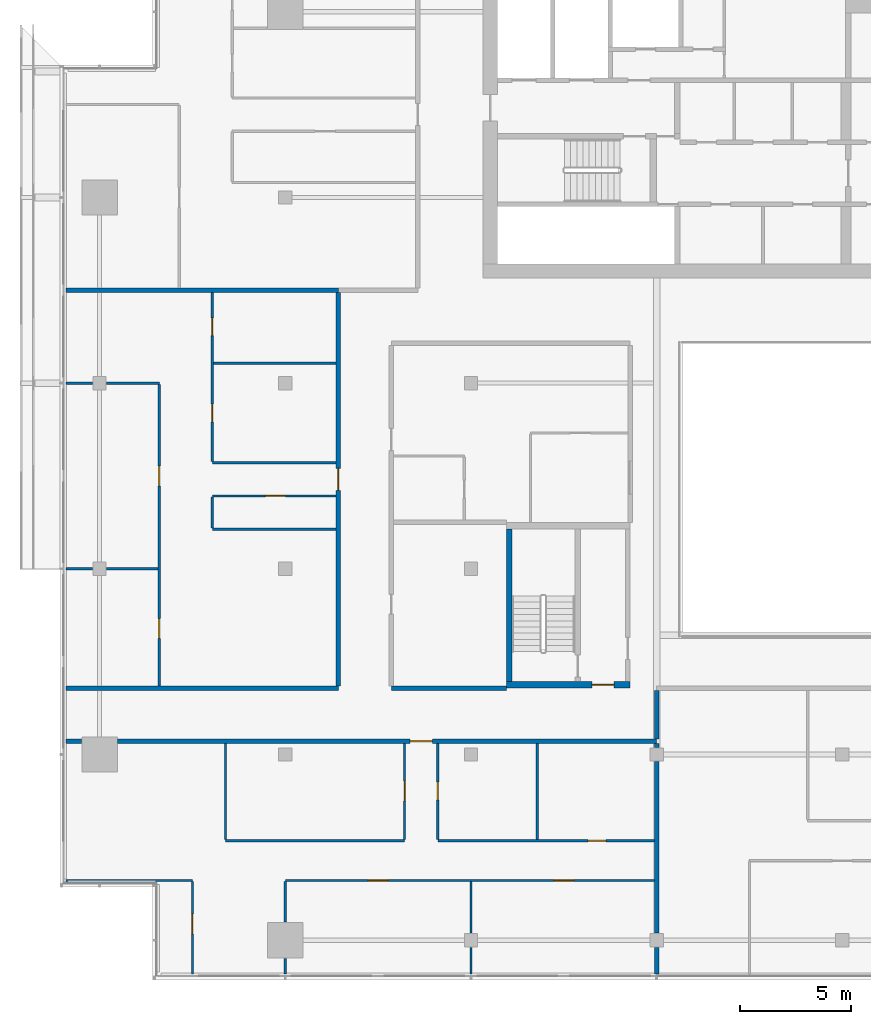
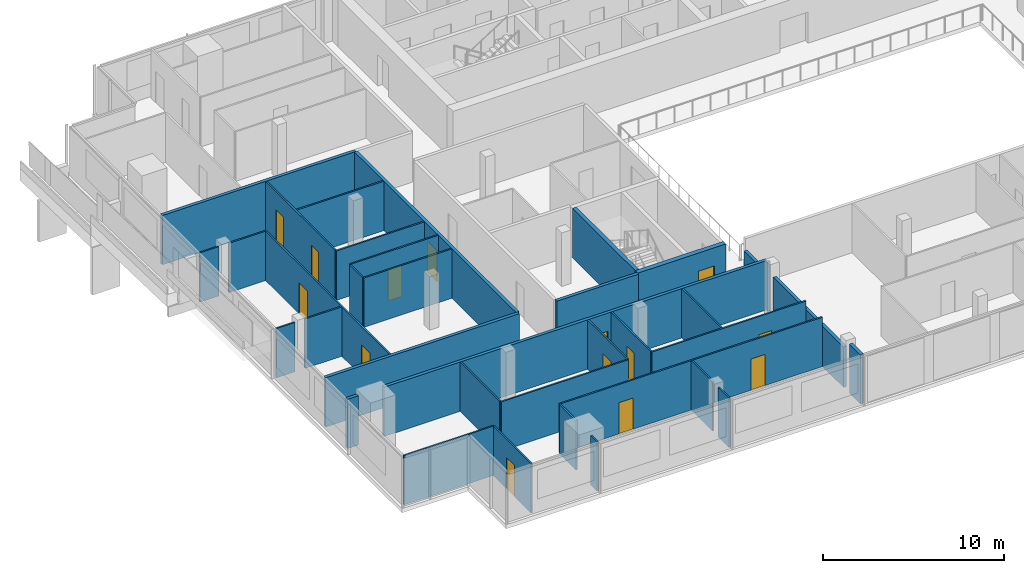
# One storey, part 16 of 28: 36 walls, 14 doors, 14 openings.
"""IFC4 building model written with IfcOpenShell, lengths in metres."""

from ifc_helpers import new_model, si_unit, direction, frame, frame_2d, origin, place, context, subcontext, project, spatial, rectangle, extrude, material, layer, layer_set, type_object, element, fill, save


model = new_model("IFC4")

# Units and contexts
model_context = context("Model", 3, precision=1e-05, world=origin(), true_north=direction((0.0, 1.0)))
body_context = subcontext(model_context, "Body", "Model", "MODEL_VIEW")
ifc_project = project(units=[si_unit("LENGTHUNIT", "METRE"), si_unit("AREAUNIT", "SQUARE_METRE"), si_unit("VOLUMEUNIT", "CUBIC_METRE"), si_unit("PLANEANGLEUNIT", "RADIAN"), si_unit("MASSUNIT", "GRAM", prefix="KILO")], contexts=[model_context])

# Site, building, storey
site_placement = place(None, origin())
site = spatial("IfcSite", under=ifc_project, at=site_placement, CompositionType="ELEMENT")
building_placement = place(site_placement, origin())
building = spatial("IfcBuilding", under=site, at=building_placement, Name="Saffron Gate Tower", CompositionType="ELEMENT")
storey_placement = place(building_placement, frame((0.0, 0.0, 241.5)))
storey = spatial("IfcBuildingStorey", under=building, at=storey_placement, Name="L59", CompositionType="ELEMENT", Elevation=241.5)

# Wall
ifc_material_1 = material(Name="Concrete C60", Category="concrete")
ifc_layer_1 = layer(ifc_material_1, 0.25)
ifc_layer_set_1 = layer_set([ifc_layer_1], Name="CW14 RC core wall 250 C60")
wall_type_1 = type_object("IfcWallType", Name="CW14 RC core wall 250 C60", PredefinedType="SOLIDWALL", material=ifc_layer_set_1)
wall_1_placement = place(storey_placement, frame((68.324951171875, 43.5, 0.0), z_axis=(0.0, 0.0, 1.0), x_axis=(0.0, 1.0, 0.0)))
element("IfcWall", 1, at=wall_1_placement, inside=storey, type_object=wall_type_1, Name="Wall CW14-L59-D-2", PredefinedType="SOLIDWALL", context=body_context, shape_type="SweptSolid", body=[
    extrude(rectangle(XDim=6.89990234375, YDim=0.25, at=frame_2d((3.449951171875, 0.0))), origin(), (0.0, 0.0, 1.0), 3.320068359375),
])

# Wall, opening, door
ifc_layer_2 = layer(ifc_material_1, 0.300048828125)
ifc_layer_set_2 = layer_set([ifc_layer_2], Name="CW17 RC core wall 300 C60")
wall_type_2 = type_object("IfcWallType", Name="CW17 RC core wall 300 C60", PredefinedType="SOLIDWALL", material=ifc_layer_set_2)
wall_2_placement = place(storey_placement, frame((68.199951171875, 43.35009765625, 0.0), z_axis=(0.0, 0.0, 1.0), x_axis=(1.0, 0.0, 0.0)))
wall_2 = element("IfcWall", 2, at=wall_2_placement, inside=storey, type_object=wall_type_2, Name="Wall CW17-L59-D-1", PredefinedType="SOLIDWALL", context=body_context, shape_type="SweptSolid", body=[
    extrude(rectangle(XDim=5.60009765625, YDim=0.300048828125, at=frame_2d((2.800048828125, 0.0))), origin(), (0.0, 0.0, 1.0), 3.320068359375),
])
opening_1_placement = place(wall_2_placement, frame((3.875, 0.0, 0.0)))
opening_1 = element("IfcOpeningElement", 3, at=opening_1_placement, cuts=wall_2, Name="Opening CR-18", PredefinedType="OPENING", context=body_context, shape_type="SweptSolid", body=[
    extrude(rectangle(XDim=1.0, YDim=2.10009765625, at=frame_2d((0.5, 1.050048828125))), frame((0.0, 0.16015625, 0.0), z_axis=(0.0, -1.0, 0.0), x_axis=(1.0, 0.0, 0.0)), (0.0, 0.0, 1.0), 0.320068359375),
])
ifc_material_2 = material(Name="Steel fire door set", Category="steel")
door_type_1 = type_object("IfcDoorType", Name="CD4 Lobby door 1000x2100 EI 120", OperationType="NOTDEFINED", PredefinedType="DOOR", material=ifc_material_2)
door_1_placement = place(opening_1_placement, origin())
door_1 = element("IfcDoor", 4, at=door_1_placement, inside=storey, type_object=door_type_1, Name="DOOR CR-18", OperationType="SINGLE_SWING_RIGHT", OverallHeight=2.10009765625, OverallWidth=1.0, PredefinedType="DOOR", context=body_context, shape_type="SweptSolid", body=[
    extrude(rectangle(XDim=1.0, YDim=2.10009765625, at=frame_2d((0.5, 1.050048828125))), frame((0.0, 0.02490234375, 0.0), z_axis=(0.0, -1.0, 0.0), x_axis=(1.0, 0.0, 0.0)), (0.0, 0.0, 1.0), 0.050048828125),
])
fill(opening_1, door_1)

# Wall
ifc_material_3 = material(Name="Plasterboard on steel studs", Category="steel")
ifc_layer_3 = layer(ifc_material_3, 0.10009765625)
ifc_layer_set_3 = layer_set([ifc_layer_3], Name="PW1 Partition 100")
wall_type_3 = type_object("IfcWallType", Name="PW1 Partition 100", PredefinedType="PARTITIONING", material=ifc_layer_set_3)
wall_3_placement = place(storey_placement, frame((48.280029296875, 34.5, 0.0), z_axis=(0.0, 0.0, 1.0), x_axis=(1.0, 0.0, 0.0)))
element("IfcWall", 5, at=wall_3_placement, inside=storey, type_object=wall_type_3, Name="Partition D4-1", PredefinedType="PARTITIONING", context=body_context, shape_type="SweptSolid", body=[
    extrude(rectangle(XDim=5.719970703125, YDim=0.10009765625, at=frame_2d((2.85986328125, 0.0))), origin(), (0.0, 0.0, 1.0), 3.320068359375),
])

# Wall, openings, doors
wall_4_placement = place(storey_placement, frame((74.89990234375, 34.5, 0.0), z_axis=(0.0, 0.0, 1.0), x_axis=(-1.0, 0.0, 0.0)))
wall_4 = element("IfcWall", 6, at=wall_4_placement, inside=storey, type_object=wall_type_3, Name="Partition D4-2", PredefinedType="PARTITIONING", context=body_context, shape_type="SweptSolid", body=[
    extrude(rectangle(XDim=16.699951171875, YDim=0.10009765625, at=frame_2d((8.35009765625, 0.0))), origin(), (0.0, 0.0, 1.0), 3.320068359375),
])
opening_2_placement = place(wall_4_placement, frame((3.64990234375, 0.0, 0.0)))
opening_2 = element("IfcOpeningElement", 7, at=opening_2_placement, cuts=wall_4, Name="Opening D4-12", PredefinedType="OPENING", context=body_context, shape_type="SweptSolid", body=[
    extrude(rectangle(XDim=0.89990234375, YDim=2.10009765625, at=frame_2d((0.449951171875, 1.050048828125))), frame((0.0, 0.06005859375, 0.0), z_axis=(0.0, -1.0, 0.0), x_axis=(1.0, 0.0, 0.0)), (0.0, 0.0, 1.0), 0.1201171875),
])
opening_3_placement = place(wall_4_placement, frame((12.050048828125, 0.0, 0.0)))
opening_3 = element("IfcOpeningElement", 8, at=opening_3_placement, cuts=wall_4, Name="Opening D4-11", PredefinedType="OPENING", context=body_context, shape_type="SweptSolid", body=[
    extrude(rectangle(XDim=0.89990234375, YDim=2.10009765625, at=frame_2d((0.449951171875, 1.050048828125))), frame((0.0, 0.06005859375, 0.0), z_axis=(0.0, -1.0, 0.0), x_axis=(1.0, 0.0, 0.0)), (0.0, 0.0, 1.0), 0.1201171875),
])
ifc_material_4 = material(Name="Timber door set", Category="wood")
door_type_2 = type_object("IfcDoorType", Name="RD1 Room door 900x2100", OperationType="NOTDEFINED", PredefinedType="DOOR", material=ifc_material_4)
door_2_placement = place(opening_2_placement, origin())
door_2 = element("IfcDoor", 9, at=door_2_placement, inside=storey, type_object=door_type_2, Name="Door D4-12", OperationType="SINGLE_SWING_LEFT", OverallHeight=2.10009765625, OverallWidth=0.89990234375, PredefinedType="DOOR", context=body_context, shape_type="SweptSolid", body=[
    extrude(rectangle(XDim=0.89990234375, YDim=2.10009765625, at=frame_2d((0.449951171875, 1.050048828125))), frame((0.0, 0.02490234375, 0.0), z_axis=(0.0, -1.0, 0.0), x_axis=(1.0, 0.0, 0.0)), (0.0, 0.0, 1.0), 0.050048828125),
])
fill(opening_2, door_2)
door_3_placement = place(opening_3_placement, origin())
door_3 = element("IfcDoor", 10, at=door_3_placement, inside=storey, type_object=door_type_2, Name="Door D4-11", OperationType="SINGLE_SWING_RIGHT", OverallHeight=2.10009765625, OverallWidth=0.89990234375, PredefinedType="DOOR", context=body_context, shape_type="SweptSolid", body=[
    extrude(rectangle(XDim=0.89990234375, YDim=2.10009765625, at=frame_2d((0.449951171875, 1.050048828125))), frame((0.0, 0.02490234375, 0.0), z_axis=(0.0, -1.0, 0.0), x_axis=(1.0, 0.0, 0.0)), (0.0, 0.0, 1.0), 0.050048828125),
])
fill(opening_3, door_3)

# Wall
wall_5_placement = place(storey_placement, frame((55.5, 36.300048828125, 0.0), z_axis=(0.0, 0.0, 1.0), x_axis=(1.0, 0.0, 0.0)))
element("IfcWall", 11, at=wall_5_placement, inside=storey, type_object=wall_type_3, Name="Partition D4-4", PredefinedType="PARTITIONING", context=body_context, shape_type="SweptSolid", body=[
    extrude(rectangle(XDim=8.10009765625, YDim=0.10009765625, at=frame_2d((4.050048828125, 0.0))), origin(), (0.0, 0.0, 1.0), 3.320068359375),
])

# Wall, opening, door
wall_6_placement = place(storey_placement, frame((65.10009765625, 36.300048828125, 0.0), z_axis=(0.0, 0.0, 1.0), x_axis=(1.0, 0.0, 0.0)))
wall_6 = element("IfcWall", 12, at=wall_6_placement, inside=storey, type_object=wall_type_3, Name="Partition D4-5", PredefinedType="PARTITIONING", context=body_context, shape_type="SweptSolid", body=[
    extrude(rectangle(XDim=9.7998046875, YDim=0.10009765625, at=frame_2d((4.89990234375, 0.0))), origin(), (0.0, 0.0, 1.0), 3.320068359375),
])
opening_4_placement = place(wall_6_placement, frame((6.800048828125, 0.0, 0.0)))
opening_4 = element("IfcOpeningElement", 13, at=opening_4_placement, cuts=wall_6, Name="Opening D4-38", PredefinedType="OPENING", context=body_context, shape_type="SweptSolid", body=[
    extrude(rectangle(XDim=0.800048828125, YDim=2.10009765625, at=frame_2d((0.39990234375, 1.050048828125))), frame((0.0, 0.06005859375, 0.0), z_axis=(0.0, -1.0, 0.0), x_axis=(1.0, 0.0, 0.0)), (0.0, 0.0, 1.0), 0.1201171875),
])
door_type_3 = type_object("IfcDoorType", Name="RD2 Bathroom door 800x2100", OperationType="NOTDEFINED", PredefinedType="DOOR", material=ifc_material_4)
door_4_placement = place(opening_4_placement, origin())
door_4 = element("IfcDoor", 14, at=door_4_placement, inside=storey, type_object=door_type_3, Name="Door D4-38", OperationType="SINGLE_SWING_RIGHT", OverallHeight=2.10009765625, OverallWidth=0.800048828125, PredefinedType="DOOR", context=body_context, shape_type="SweptSolid", body=[
    extrude(rectangle(XDim=0.800048828125, YDim=2.10009765625, at=frame_2d((0.39990234375, 1.050048828125))), frame((0.0, 0.02490234375, 0.0), z_axis=(0.0, -1.0, 0.0), x_axis=(1.0, 0.0, 0.0)), (0.0, 0.0, 1.0), 0.050048828125),
])
fill(opening_4, door_4)

# Walls
wall_7_placement = place(storey_placement, frame((48.280029296875, 48.60009765625, 0.0), z_axis=(0.0, 0.0, 1.0), x_axis=(1.0, 0.0, 0.0)))
element("IfcWall", 15, at=wall_7_placement, inside=storey, type_object=wall_type_3, Name="Partition D4-24", PredefinedType="PARTITIONING", context=body_context, shape_type="SweptSolid", body=[
    extrude(rectangle(XDim=1.199951171875, YDim=0.10009765625, at=frame_2d((0.60009765625, 0.0))), origin(), (0.0, 0.0, 1.0), 3.320068359375),
])
wall_8_placement = place(storey_placement, frame((50.1201171875, 48.60009765625, 0.0), z_axis=(0.0, 0.0, 1.0), x_axis=(1.0, 0.0, 0.0)))
element("IfcWall", 16, at=wall_8_placement, inside=storey, type_object=wall_type_3, Name="Partition D4-25", PredefinedType="PARTITIONING", context=body_context, shape_type="SweptSolid", body=[
    extrude(rectangle(XDim=2.329833984375, YDim=0.10009765625, at=frame_2d((1.1650390625, 0.0))), origin(), (0.0, 0.0, 1.0), 3.320068359375),
])
wall_9_placement = place(storey_placement, frame((54.89990234375, 50.39306640625, 0.0), z_axis=(0.0, 0.0, 1.0), x_axis=(1.0, 0.0, 0.0)))
element("IfcWall", 17, at=wall_9_placement, inside=storey, type_object=wall_type_3, Name="Partition D4-28", PredefinedType="PARTITIONING", context=body_context, shape_type="SweptSolid", body=[
    extrude(rectangle(XDim=5.60009765625, YDim=0.10009765625, at=frame_2d((2.800048828125, 0.0))), origin(), (0.0, 0.0, 1.0), 3.320068359375),
])

# Wall, opening, door
wall_10_placement = place(storey_placement, frame((60.5, 51.89990234375, 0.0), z_axis=(0.0, 0.0, 1.0), x_axis=(-1.0, 0.0, 0.0)))
wall_10 = element("IfcWall", 18, at=wall_10_placement, inside=storey, type_object=wall_type_3, Name="Partition D4-31", PredefinedType="PARTITIONING", context=body_context, shape_type="SweptSolid", body=[
    extrude(rectangle(XDim=5.60009765625, YDim=0.10009765625, at=frame_2d((2.800048828125, 0.0))), origin(), (0.0, 0.0, 1.0), 3.320068359375),
])
opening_5_placement = place(wall_10_placement, frame((2.300048828125, 0.0, 0.0)))
opening_5 = element("IfcOpeningElement", 19, at=opening_5_placement, cuts=wall_10, Name="Opening D4-25", PredefinedType="OPENING", context=body_context, shape_type="SweptSolid", body=[
    extrude(rectangle(XDim=0.89990234375, YDim=2.10009765625, at=frame_2d((0.449951171875, 1.050048828125))), frame((0.0, 0.06005859375, 0.0), z_axis=(0.0, -1.0, 0.0), x_axis=(1.0, 0.0, 0.0)), (0.0, 0.0, 1.0), 0.1201171875),
])
door_5_placement = place(opening_5_placement, origin())
door_5 = element("IfcDoor", 20, at=door_5_placement, inside=storey, type_object=door_type_2, Name="Door D4-25", OperationType="SINGLE_SWING_LEFT", OverallHeight=2.10009765625, OverallWidth=0.89990234375, PredefinedType="DOOR", context=body_context, shape_type="SweptSolid", body=[
    extrude(rectangle(XDim=0.89990234375, YDim=2.10009765625, at=frame_2d((0.449951171875, 1.050048828125))), frame((0.0, 0.02490234375, 0.0), z_axis=(0.0, -1.0, 0.0), x_axis=(1.0, 0.0, 0.0)), (0.0, 0.0, 1.0), 0.050048828125),
])
fill(opening_5, door_5)

# Walls
wall_11_placement = place(storey_placement, frame((54.89990234375, 53.39990234375, 0.0), z_axis=(0.0, 0.0, 1.0), x_axis=(1.0, 0.0, 0.0)))
element("IfcWall", 21, at=wall_11_placement, inside=storey, type_object=wall_type_3, Name="Partition D4-33", PredefinedType="PARTITIONING", context=body_context, shape_type="SweptSolid", body=[
    extrude(rectangle(XDim=5.60009765625, YDim=0.10009765625, at=frame_2d((2.800048828125, 0.0))), origin(), (0.0, 0.0, 1.0), 3.320068359375),
])
wall_12_placement = place(storey_placement, frame((48.280029296875, 57.0, 0.0), z_axis=(0.0, 0.0, 1.0), x_axis=(1.0, 0.0, 0.0)))
element("IfcWall", 22, at=wall_12_placement, inside=storey, type_object=wall_type_3, Name="Partition D4-38", PredefinedType="PARTITIONING", context=body_context, shape_type="SweptSolid", body=[
    extrude(rectangle(XDim=1.199951171875, YDim=0.10009765625, at=frame_2d((0.60009765625, 0.0))), origin(), (0.0, 0.0, 1.0), 3.320068359375),
])
wall_13_placement = place(storey_placement, frame((50.1201171875, 57.0, 0.0), z_axis=(0.0, 0.0, 1.0), x_axis=(1.0, 0.0, 0.0)))
element("IfcWall", 23, at=wall_13_placement, inside=storey, type_object=wall_type_3, Name="Partition D4-39", PredefinedType="PARTITIONING", context=body_context, shape_type="SweptSolid", body=[
    extrude(rectangle(XDim=2.3798828125, YDim=0.10009765625, at=frame_2d((1.18994140625, 0.0))), origin(), (0.0, 0.0, 1.0), 3.320068359375),
])
wall_14_placement = place(storey_placement, frame((54.949951171875, 57.89990234375, 0.0), z_axis=(0.0, 0.0, 1.0), x_axis=(1.0, 0.0, 0.0)))
element("IfcWall", 24, at=wall_14_placement, inside=storey, type_object=wall_type_3, Name="Partition D4-42", PredefinedType="PARTITIONING", context=body_context, shape_type="SweptSolid", body=[
    extrude(rectangle(XDim=5.550048828125, YDim=0.10009765625, at=frame_2d((2.77490234375, 0.0))), origin(), (0.0, 0.0, 1.0), 3.320068359375),
])

# Wall, openings, doors
wall_15_placement = place(storey_placement, frame((52.5, 43.300048828125, 0.0), z_axis=(0.0, 0.0, 1.0), x_axis=(0.0, 1.0, 0.0)))
wall_15 = element("IfcWall", 25, at=wall_15_placement, inside=storey, type_object=wall_type_3, Name="Partition D4-59", PredefinedType="PARTITIONING", context=body_context, shape_type="SweptSolid", body=[
    extrude(rectangle(XDim=13.64990234375, YDim=0.10009765625, at=frame_2d((6.824951171875, 0.0))), origin(), (0.0, 0.0, 1.0), 3.320068359375),
])
opening_6_placement = place(wall_15_placement, frame((2.14990234375, 0.0, 0.0)))
opening_6 = element("IfcOpeningElement", 26, at=opening_6_placement, cuts=wall_15, Name="Opening D4-23", PredefinedType="OPENING", context=body_context, shape_type="SweptSolid", body=[
    extrude(rectangle(XDim=0.89990234375, YDim=2.10009765625, at=frame_2d((0.449951171875, 1.050048828125))), frame((0.0, 0.06005859375, 0.0), z_axis=(0.0, -1.0, 0.0), x_axis=(1.0, 0.0, 0.0)), (0.0, 0.0, 1.0), 0.1201171875),
])
opening_7_placement = place(wall_15_placement, frame((9.050048828125, 0.0, 0.0)))
opening_7 = element("IfcOpeningElement", 27, at=opening_7_placement, cuts=wall_15, Name="Opening D4-24", PredefinedType="OPENING", context=body_context, shape_type="SweptSolid", body=[
    extrude(rectangle(XDim=0.89990234375, YDim=2.10009765625, at=frame_2d((0.449951171875, 1.050048828125))), frame((0.0, 0.06005859375, 0.0), z_axis=(0.0, -1.0, 0.0), x_axis=(1.0, 0.0, 0.0)), (0.0, 0.0, 1.0), 0.1201171875),
])
door_6_placement = place(opening_6_placement, origin())
door_6 = element("IfcDoor", 28, at=door_6_placement, inside=storey, type_object=door_type_2, Name="Door D4-23", OperationType="SINGLE_SWING_LEFT", OverallHeight=2.10009765625, OverallWidth=0.89990234375, PredefinedType="DOOR", context=body_context, shape_type="SweptSolid", body=[
    extrude(rectangle(XDim=0.89990234375, YDim=2.10009765625, at=frame_2d((0.449951171875, 1.050048828125))), frame((0.0, 0.02490234375, 0.0), z_axis=(0.0, -1.0, 0.0), x_axis=(1.0, 0.0, 0.0)), (0.0, 0.0, 1.0), 0.050048828125),
])
fill(opening_6, door_6)
door_7_placement = place(opening_7_placement, origin())
door_7 = element("IfcDoor", 29, at=door_7_placement, inside=storey, type_object=door_type_2, Name="Door D4-24", OperationType="SINGLE_SWING_RIGHT", OverallHeight=2.10009765625, OverallWidth=0.89990234375, PredefinedType="DOOR", context=body_context, shape_type="SweptSolid", body=[
    extrude(rectangle(XDim=0.89990234375, YDim=2.10009765625, at=frame_2d((0.449951171875, 1.050048828125))), frame((0.0, 0.02490234375, 0.0), z_axis=(0.0, -1.0, 0.0), x_axis=(1.0, 0.0, 0.0)), (0.0, 0.0, 1.0), 0.050048828125),
])
fill(opening_7, door_7)

# Wall, opening, door
wall_16_placement = place(storey_placement, frame((54.0, 30.280029296875, 0.0), z_axis=(0.0, 0.0, 1.0), x_axis=(0.0, 1.0, 0.0)))
wall_16 = element("IfcWall", 30, at=wall_16_placement, inside=storey, type_object=wall_type_3, Name="Partition D4-61", PredefinedType="PARTITIONING", context=body_context, shape_type="SweptSolid", body=[
    extrude(rectangle(XDim=4.169921875, YDim=0.10009765625, at=frame_2d((2.0849609375, 0.0))), origin(), (0.0, 0.0, 1.0), 3.320068359375),
])
opening_8_placement = place(wall_16_placement, frame((1.802734375, 0.0, 0.0)))
opening_8 = element("IfcOpeningElement", 31, at=opening_8_placement, cuts=wall_16, Name="Opening D4-10", PredefinedType="OPENING", context=body_context, shape_type="SweptSolid", body=[
    extrude(rectangle(XDim=0.89990234375, YDim=2.10009765625, at=frame_2d((0.449951171875, 1.050048828125))), frame((0.0, 0.06005859375, 0.0), z_axis=(0.0, -1.0, 0.0), x_axis=(1.0, 0.0, 0.0)), (0.0, 0.0, 1.0), 0.1201171875),
])
door_8_placement = place(opening_8_placement, origin())
door_8 = element("IfcDoor", 32, at=door_8_placement, inside=storey, type_object=door_type_2, Name="Door D4-10", OperationType="SINGLE_SWING_RIGHT", OverallHeight=2.10009765625, OverallWidth=0.89990234375, PredefinedType="DOOR", context=body_context, shape_type="SweptSolid", body=[
    extrude(rectangle(XDim=0.89990234375, YDim=2.10009765625, at=frame_2d((0.449951171875, 1.050048828125))), frame((0.0, 0.02490234375, 0.0), z_axis=(0.0, -1.0, 0.0), x_axis=(1.0, 0.0, 0.0)), (0.0, 0.0, 1.0), 0.050048828125),
])
fill(opening_8, door_8)

# Wall
wall_17_placement = place(storey_placement, frame((54.89990234375, 51.85009765625, 0.0), z_axis=(0.0, 0.0, 1.0), x_axis=(0.0, -1.0, 0.0)))
element("IfcWall", 33, at=wall_17_placement, inside=storey, type_object=wall_type_3, Name="Partition D4-62", PredefinedType="PARTITIONING", context=body_context, shape_type="SweptSolid", body=[
    extrude(rectangle(XDim=1.406982421875, YDim=0.10009765625, at=frame_2d((0.70361328125, 0.0))), origin(), (0.0, 0.0, 1.0), 3.320068359375),
])

# Wall, openings, doors
wall_18_placement = place(storey_placement, frame((54.89990234375, 61.10009765625, 0.0), z_axis=(0.0, 0.0, 1.0), x_axis=(0.0, -1.0, 0.0)))
wall_18 = element("IfcWall", 34, at=wall_18_placement, inside=storey, type_object=wall_type_3, Name="Partition D4-63", PredefinedType="PARTITIONING", context=body_context, shape_type="SweptSolid", body=[
    extrude(rectangle(XDim=7.650146484375, YDim=0.10009765625, at=frame_2d((3.8251953125, 0.0))), origin(), (0.0, 0.0, 1.0), 3.320068359375),
])
opening_9_placement = place(wall_18_placement, frame((1.14990234375, 0.0, 0.0)))
opening_9 = element("IfcOpeningElement", 35, at=opening_9_placement, cuts=wall_18, Name="Opening D4-44", PredefinedType="OPENING", context=body_context, shape_type="SweptSolid", body=[
    extrude(rectangle(XDim=0.800048828125, YDim=2.10009765625, at=frame_2d((0.39990234375, 1.050048828125))), frame((0.0, 0.06005859375, 0.0), z_axis=(0.0, -1.0, 0.0), x_axis=(1.0, 0.0, 0.0)), (0.0, 0.0, 1.0), 0.1201171875),
])
opening_10_placement = place(wall_18_placement, frame((5.050048828125, 0.0, 0.0)))
opening_10 = element("IfcOpeningElement", 36, at=opening_10_placement, cuts=wall_18, Name="Opening D4-43", PredefinedType="OPENING", context=body_context, shape_type="SweptSolid", body=[
    extrude(rectangle(XDim=0.800048828125, YDim=2.10009765625, at=frame_2d((0.39990234375, 1.050048828125))), frame((0.0, 0.06005859375, 0.0), z_axis=(0.0, -1.0, 0.0), x_axis=(1.0, 0.0, 0.0)), (0.0, 0.0, 1.0), 0.1201171875),
])
door_9_placement = place(opening_9_placement, origin())
door_9 = element("IfcDoor", 37, at=door_9_placement, inside=storey, type_object=door_type_3, Name="Door D4-44", OperationType="SINGLE_SWING_LEFT", OverallHeight=2.10009765625, OverallWidth=0.800048828125, PredefinedType="DOOR", context=body_context, shape_type="SweptSolid", body=[
    extrude(rectangle(XDim=0.800048828125, YDim=2.10009765625, at=frame_2d((0.39990234375, 1.050048828125))), frame((0.0, 0.02490234375, 0.0), z_axis=(0.0, -1.0, 0.0), x_axis=(1.0, 0.0, 0.0)), (0.0, 0.0, 1.0), 0.050048828125),
])
fill(opening_9, door_9)
door_10_placement = place(opening_10_placement, origin())
door_10 = element("IfcDoor", 38, at=door_10_placement, inside=storey, type_object=door_type_3, Name="Door D4-43", OperationType="SINGLE_SWING_RIGHT", OverallHeight=2.10009765625, OverallWidth=0.800048828125, PredefinedType="DOOR", context=body_context, shape_type="SweptSolid", body=[
    extrude(rectangle(XDim=0.800048828125, YDim=2.10009765625, at=frame_2d((0.39990234375, 1.050048828125))), frame((0.0, 0.02490234375, 0.0), z_axis=(0.0, -1.0, 0.0), x_axis=(1.0, 0.0, 0.0)), (0.0, 0.0, 1.0), 0.050048828125),
])
fill(opening_10, door_10)

# Walls
wall_19_placement = place(storey_placement, frame((55.5, 40.699951171875, 0.0), z_axis=(0.0, 0.0, 1.0), x_axis=(0.0, -1.0, 0.0)))
element("IfcWall", 39, at=wall_19_placement, inside=storey, type_object=wall_type_3, Name="Partition D4-64", PredefinedType="PARTITIONING", context=body_context, shape_type="SweptSolid", body=[
    extrude(rectangle(XDim=4.349853515625, YDim=0.10009765625, at=frame_2d((2.1748046875, 0.0))), origin(), (0.0, 0.0, 1.0), 3.320068359375),
])
wall_20_placement = place(storey_placement, frame((58.199951171875, 30.97998046875, 0.0), z_axis=(0.0, 0.0, 1.0), x_axis=(0.0, -1.0, 0.0)))
element("IfcWall", 40, at=wall_20_placement, inside=storey, type_object=wall_type_3, Name="Partition D4-67", PredefinedType="PARTITIONING", context=body_context, shape_type="SweptSolid", body=[
    extrude(rectangle(XDim=0.699951171875, YDim=0.10009765625, at=frame_2d((0.35009765625, 0.0))), origin(), (0.0, 0.0, 1.0), 3.320068359375),
])
wall_21_placement = place(storey_placement, frame((58.199951171875, 34.449951171875, 0.0), z_axis=(0.0, 0.0, 1.0), x_axis=(0.0, -1.0, 0.0)))
element("IfcWall", 41, at=wall_21_placement, inside=storey, type_object=wall_type_3, Name="Partition D4-68", PredefinedType="PARTITIONING", context=body_context, shape_type="SweptSolid", body=[
    extrude(rectangle(XDim=1.829833984375, YDim=0.10009765625, at=frame_2d((0.9150390625, 0.0))), origin(), (0.0, 0.0, 1.0), 3.320068359375),
])

# Wall, opening, door
wall_22_placement = place(storey_placement, frame((63.60009765625, 36.35009765625, 0.0), z_axis=(0.0, 0.0, 1.0), x_axis=(0.0, 1.0, 0.0)))
wall_22 = element("IfcWall", 42, at=wall_22_placement, inside=storey, type_object=wall_type_3, Name="Partition D4-71", PredefinedType="PARTITIONING", context=body_context, shape_type="SweptSolid", body=[
    extrude(rectangle(XDim=4.349853515625, YDim=0.10009765625, at=frame_2d((2.1748046875, 0.0))), origin(), (0.0, 0.0, 1.0), 3.320068359375),
])
opening_11_placement = place(wall_22_placement, frame((1.75, 0.0, 0.0)))
opening_11 = element("IfcOpeningElement", 43, at=opening_11_placement, cuts=wall_22, Name="Opening D4-13", PredefinedType="OPENING", context=body_context, shape_type="SweptSolid", body=[
    extrude(rectangle(XDim=0.89990234375, YDim=2.10009765625, at=frame_2d((0.449951171875, 1.050048828125))), frame((0.0, 0.06005859375, 0.0), z_axis=(0.0, -1.0, 0.0), x_axis=(1.0, 0.0, 0.0)), (0.0, 0.0, 1.0), 0.1201171875),
])
door_11_placement = place(opening_11_placement, origin())
door_11 = element("IfcDoor", 44, at=door_11_placement, inside=storey, type_object=door_type_2, Name="Door D4-13", OperationType="SINGLE_SWING_RIGHT", OverallHeight=2.10009765625, OverallWidth=0.89990234375, PredefinedType="DOOR", context=body_context, shape_type="SweptSolid", body=[
    extrude(rectangle(XDim=0.89990234375, YDim=2.10009765625, at=frame_2d((0.449951171875, 1.050048828125))), frame((0.0, 0.02490234375, 0.0), z_axis=(0.0, -1.0, 0.0), x_axis=(1.0, 0.0, 0.0)), (0.0, 0.0, 1.0), 0.050048828125),
])
fill(opening_11, door_11)

wall_23_placement = place(storey_placement, frame((65.10009765625, 40.699951171875, 0.0), z_axis=(0.0, 0.0, 1.0), x_axis=(0.0, -1.0, 0.0)))
wall_23 = element("IfcWall", 45, at=wall_23_placement, inside=storey, type_object=wall_type_3, Name="Partition D4-73", PredefinedType="PARTITIONING", context=body_context, shape_type="SweptSolid", body=[
    extrude(rectangle(XDim=4.349853515625, YDim=0.10009765625, at=frame_2d((2.1748046875, 0.0))), origin(), (0.0, 0.0, 1.0), 3.320068359375),
])
opening_12_placement = place(wall_23_placement, frame((1.75, 0.0, 0.0)))
opening_12 = element("IfcOpeningElement", 46, at=opening_12_placement, cuts=wall_23, Name="Opening D4-37", PredefinedType="OPENING", context=body_context, shape_type="SweptSolid", body=[
    extrude(rectangle(XDim=0.800048828125, YDim=2.10009765625, at=frame_2d((0.39990234375, 1.050048828125))), frame((0.0, 0.06005859375, 0.0), z_axis=(0.0, -1.0, 0.0), x_axis=(1.0, 0.0, 0.0)), (0.0, 0.0, 1.0), 0.1201171875),
])
door_12_placement = place(opening_12_placement, origin())
door_12 = element("IfcDoor", 47, at=door_12_placement, inside=storey, type_object=door_type_3, Name="Door D4-37", OperationType="SINGLE_SWING_LEFT", OverallHeight=2.10009765625, OverallWidth=0.800048828125, PredefinedType="DOOR", context=body_context, shape_type="SweptSolid", body=[
    extrude(rectangle(XDim=0.800048828125, YDim=2.10009765625, at=frame_2d((0.39990234375, 1.050048828125))), frame((0.0, 0.02490234375, 0.0), z_axis=(0.0, -1.0, 0.0), x_axis=(1.0, 0.0, 0.0)), (0.0, 0.0, 1.0), 0.050048828125),
])
fill(opening_12, door_12)

# Walls
wall_24_placement = place(storey_placement, frame((66.60009765625, 31.47998046875, 0.0), z_axis=(0.0, 0.0, 1.0), x_axis=(0.0, -1.0, 0.0)))
element("IfcWall", 48, at=wall_24_placement, inside=storey, type_object=wall_type_3, Name="Partition D4-75", PredefinedType="PARTITIONING", context=body_context, shape_type="SweptSolid", body=[
    extrude(rectangle(XDim=1.199951171875, YDim=0.10009765625, at=frame_2d((0.60009765625, 0.0))), origin(), (0.0, 0.0, 1.0), 3.320068359375),
])
wall_25_placement = place(storey_placement, frame((66.60009765625, 34.449951171875, 0.0), z_axis=(0.0, 0.0, 1.0), x_axis=(0.0, -1.0, 0.0)))
element("IfcWall", 49, at=wall_25_placement, inside=storey, type_object=wall_type_3, Name="Partition D4-76", PredefinedType="PARTITIONING", context=body_context, shape_type="SweptSolid", body=[
    extrude(rectangle(XDim=2.329833984375, YDim=0.10009765625, at=frame_2d((1.1650390625, 0.0))), origin(), (0.0, 0.0, 1.0), 3.320068359375),
])
wall_26_placement = place(storey_placement, frame((69.60009765625, 40.699951171875, 0.0), z_axis=(0.0, 0.0, 1.0), x_axis=(0.0, -1.0, 0.0)))
element("IfcWall", 50, at=wall_26_placement, inside=storey, type_object=wall_type_3, Name="Partition D4-78", PredefinedType="PARTITIONING", context=body_context, shape_type="SweptSolid", body=[
    extrude(rectangle(XDim=4.349853515625, YDim=0.10009765625, at=frame_2d((2.1748046875, 0.0))), origin(), (0.0, 0.0, 1.0), 3.320068359375),
])
ifc_material_5 = material(Name="Clay brick masonry, rendered", Category="masonry")
ifc_layer_4 = layer(ifc_material_5, 0.199951171875)
ifc_layer_set_4 = layer_set([ifc_layer_4], Name="PW2 Demising wall 200")
wall_type_4 = type_object("IfcWallType", Name="PW2 Demising wall 200", PredefinedType="PARTITIONING", material=ifc_layer_set_4)
wall_27_placement = place(storey_placement, frame((48.280029296875, 61.199951171875, 0.0), z_axis=(0.0, 0.0, 1.0), x_axis=(1.0, 0.0, 0.0)))
element("IfcWall", 51, at=wall_27_placement, inside=storey, type_object=wall_type_4, Name="Wall D4-47", PredefinedType="PARTITIONING", context=body_context, shape_type="SweptSolid", body=[
    extrude(rectangle(XDim=12.320068359375, YDim=0.199951171875, at=frame_2d((6.16015625, 0.0))), origin(), (0.0, 0.0, 1.0), 3.320068359375),
])
wall_28_placement = place(storey_placement, frame((75.0, 31.47998046875, 0.0), z_axis=(0.0, 0.0, 1.0), x_axis=(0.0, -1.0, 0.0)))
element("IfcWall", 52, at=wall_28_placement, inside=storey, type_object=wall_type_4, Name="Wall D4-81", PredefinedType="PARTITIONING", context=body_context, shape_type="SweptSolid", body=[
    extrude(rectangle(XDim=1.199951171875, YDim=0.199951171875, at=frame_2d((0.60009765625, 0.0))), origin(), (0.0, 0.0, 1.0), 3.320068359375),
])
wall_29_placement = place(storey_placement, frame((75.0, 39.8798828125, 0.0), z_axis=(0.0, 0.0, 1.0), x_axis=(0.0, -1.0, 0.0)))
element("IfcWall", 53, at=wall_29_placement, inside=storey, type_object=wall_type_4, Name="Wall D4-82", PredefinedType="PARTITIONING", context=body_context, shape_type="SweptSolid", body=[
    extrude(rectangle(XDim=7.759765625, YDim=0.199951171875, at=frame_2d((3.8798828125, 0.0))), origin(), (0.0, 0.0, 1.0), 2.719970703125),
])
wall_30_placement = place(storey_placement, frame((75.0, 40.699951171875, 0.0), z_axis=(0.0, 0.0, 1.0), x_axis=(0.0, -1.0, 0.0)))
element("IfcWall", 54, at=wall_30_placement, inside=storey, type_object=wall_type_4, Name="Wall D4-83", PredefinedType="PARTITIONING", context=body_context, shape_type="SweptSolid", body=[
    extrude(rectangle(XDim=0.179931640625, YDim=0.199951171875, at=frame_2d((0.08984375, 0.0))), origin(), (0.0, 0.0, 1.0), 3.320068359375),
])
ifc_layer_5 = layer(ifc_material_5, 0.199951171875)
ifc_layer_set_5 = layer_set([ifc_layer_5], Name="PW3 Corridor wall 200")
wall_type_5 = type_object("IfcWallType", Name="PW3 Corridor wall 200", PredefinedType="PARTITIONING", material=ifc_layer_set_5)
wall_31_placement = place(storey_placement, frame((48.280029296875, 40.800048828125, 0.0), z_axis=(0.0, 0.0, 1.0), x_axis=(1.0, 0.0, 0.0)))
element("IfcWall", 55, at=wall_31_placement, inside=storey, type_object=wall_type_5, Name="Wall D4-12", PredefinedType="PARTITIONING", context=body_context, shape_type="SweptSolid", body=[
    extrude(rectangle(XDim=0.699951171875, YDim=0.199951171875, at=frame_2d((0.35009765625, 0.0))), origin(), (0.0, 0.0, 1.0), 3.320068359375),
])

# Wall, opening, door
wall_32_placement = place(storey_placement, frame((75.0, 40.800048828125, 0.0), z_axis=(0.0, 0.0, 1.0), x_axis=(-1.0, 0.0, 0.0)))
wall_32 = element("IfcWall", 56, at=wall_32_placement, inside=storey, type_object=wall_type_5, Name="Wall D4-13", PredefinedType="PARTITIONING", context=body_context, shape_type="SweptSolid", body=[
    extrude(rectangle(XDim=24.3798828125, YDim=0.199951171875, at=frame_2d((12.18994140625, 0.0))), origin(), (0.0, 0.0, 1.0), 3.320068359375),
])
opening_13_placement = place(wall_32_placement, frame((10.14990234375, 0.0, 0.0)))
opening_13 = element("IfcOpeningElement", 57, at=opening_13_placement, cuts=wall_32, Name="Opening D4-1", PredefinedType="OPENING", context=body_context, shape_type="SweptSolid", body=[
    extrude(rectangle(XDim=1.0, YDim=2.10009765625, at=frame_2d((0.5, 1.050048828125))), frame((0.0, 0.10986328125, 0.0), z_axis=(0.0, -1.0, 0.0), x_axis=(1.0, 0.0, 0.0)), (0.0, 0.0, 1.0), 0.219970703125),
])
ifc_material_6 = material(Name="Timber fire door set", Category="wood")
door_type_4 = type_object("IfcDoorType", Name="FD1 Flat entry door 1000x2100", OperationType="NOTDEFINED", PredefinedType="DOOR", material=ifc_material_6)
door_13_placement = place(opening_13_placement, origin())
door_13 = element("IfcDoor", 58, at=door_13_placement, inside=storey, type_object=door_type_4, Name="Door D4-1", OperationType="SINGLE_SWING_LEFT", OverallHeight=2.10009765625, OverallWidth=1.0, PredefinedType="DOOR", context=body_context, shape_type="SweptSolid", body=[
    extrude(rectangle(XDim=1.0, YDim=2.10009765625, at=frame_2d((0.5, 1.050048828125))), frame((0.0, 0.02490234375, 0.0), z_axis=(0.0, -1.0, 0.0), x_axis=(1.0, 0.0, 0.0)), (0.0, 0.0, 1.0), 0.050048828125),
])
fill(opening_13, door_13)

# Walls
wall_33_placement = place(storey_placement, frame((48.280029296875, 43.199951171875, 0.0), z_axis=(0.0, 0.0, 1.0), x_axis=(1.0, 0.0, 0.0)))
element("IfcWall", 59, at=wall_33_placement, inside=storey, type_object=wall_type_5, Name="Wall D4-16", PredefinedType="PARTITIONING", context=body_context, shape_type="SweptSolid", body=[
    extrude(rectangle(XDim=12.320068359375, YDim=0.199951171875, at=frame_2d((6.16015625, 0.0))), origin(), (0.0, 0.0, 1.0), 3.320068359375),
])
wall_34_placement = place(storey_placement, frame((63.0, 43.199951171875, 0.0), z_axis=(0.0, 0.0, 1.0), x_axis=(1.0, 0.0, 0.0)))
element("IfcWall", 60, at=wall_34_placement, inside=storey, type_object=wall_type_5, Name="Wall D4-17", PredefinedType="PARTITIONING", context=body_context, shape_type="SweptSolid", body=[
    extrude(rectangle(XDim=5.199951171875, YDim=0.199951171875, at=frame_2d((2.60009765625, 0.0))), origin(), (0.0, 0.0, 1.0), 3.320068359375),
])

# Wall, opening, door
wall_35_placement = place(storey_placement, frame((60.60009765625, 43.300048828125, 0.0), z_axis=(0.0, 0.0, 1.0), x_axis=(0.0, 1.0, 0.0)))
wall_35 = element("IfcWall", 61, at=wall_35_placement, inside=storey, type_object=wall_type_5, Name="Wall D4-69", PredefinedType="PARTITIONING", context=body_context, shape_type="SweptSolid", body=[
    extrude(rectangle(XDim=17.800048828125, YDim=0.199951171875, at=frame_2d((8.89990234375, 0.0))), origin(), (0.0, 0.0, 1.0), 3.320068359375),
])
opening_14_placement = place(wall_35_placement, frame((8.85009765625, 0.0, 0.0)))
opening_14 = element("IfcOpeningElement", 62, at=opening_14_placement, cuts=wall_35, Name="Opening D4-4", PredefinedType="OPENING", context=body_context, shape_type="SweptSolid", body=[
    extrude(rectangle(XDim=1.0, YDim=2.10009765625, at=frame_2d((0.5, 1.050048828125))), frame((0.0, 0.10986328125, 0.0), z_axis=(0.0, -1.0, 0.0), x_axis=(1.0, 0.0, 0.0)), (0.0, 0.0, 1.0), 0.219970703125),
])
door_14_placement = place(opening_14_placement, origin())
door_14 = element("IfcDoor", 63, at=door_14_placement, inside=storey, type_object=door_type_4, Name="Door D4-4", OperationType="SINGLE_SWING_RIGHT", OverallHeight=2.10009765625, OverallWidth=1.0, PredefinedType="DOOR", context=body_context, shape_type="SweptSolid", body=[
    extrude(rectangle(XDim=1.0, YDim=2.10009765625, at=frame_2d((0.5, 1.050048828125))), frame((0.0, 0.02490234375, 0.0), z_axis=(0.0, -1.0, 0.0), x_axis=(1.0, 0.0, 0.0)), (0.0, 0.0, 1.0), 0.050048828125),
])
fill(opening_14, door_14)

# Wall
wall_36_placement = place(storey_placement, frame((75.0, 43.10009765625, 0.0), z_axis=(0.0, 0.0, 1.0), x_axis=(0.0, -1.0, 0.0)))
element("IfcWall", 64, at=wall_36_placement, inside=storey, type_object=wall_type_5, Name="Wall D4-80", PredefinedType="PARTITIONING", context=body_context, shape_type="SweptSolid", body=[
    extrude(rectangle(XDim=2.2001953125, YDim=0.199951171875, at=frame_2d((1.10009765625, 0.0))), origin(), (0.0, 0.0, 1.0), 2.530029296875),
])

save(model, "model.ifc")
